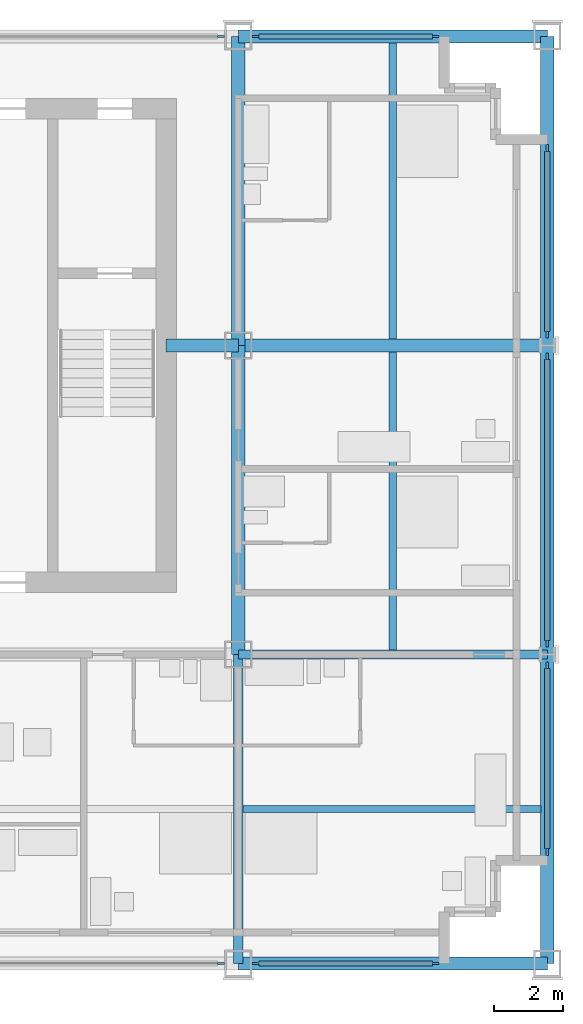
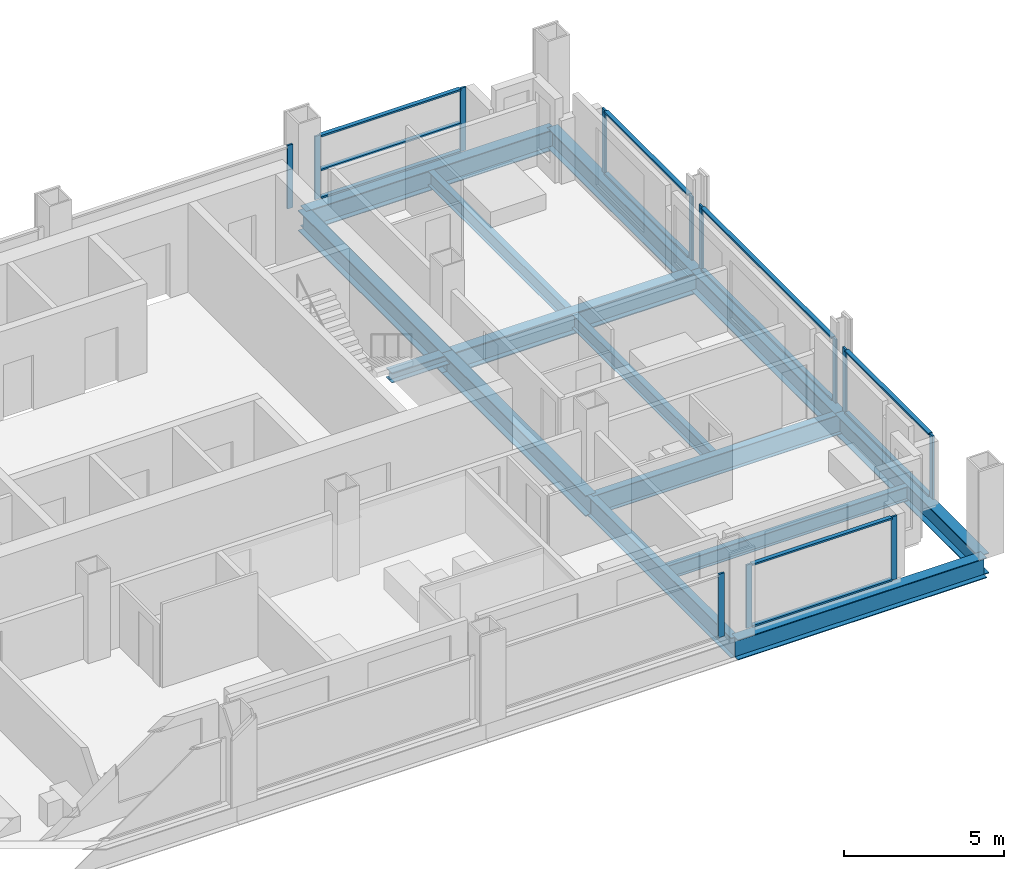
# One storey, part 5 of 13: 24 members, 13 beams, 7 elements without a shape of their own.
"""IFC4 building model written with IfcOpenShell, lengths in metres."""

from ifc_helpers import new_model, si_unit, direction, frame, origin, origin_2d, place, context, subcontext, project, spatial, rectangle, i_section, extrude, material, material_profile, profile_set, type_object, element, aggregate, save


model = new_model("IFC4")

# Units and contexts
model_context = context("Model", 3, precision=1e-05, world=origin(), true_north=direction((0.0, 1.0)))
body_context = subcontext(model_context, "Body", "Model", "MODEL_VIEW")
ifc_project = project(units=[si_unit("LENGTHUNIT", "METRE"), si_unit("AREAUNIT", "SQUARE_METRE"), si_unit("VOLUMEUNIT", "CUBIC_METRE"), si_unit("PLANEANGLEUNIT", "RADIAN"), si_unit("MASSUNIT", "GRAM", prefix="KILO")], contexts=[model_context])

# Site, building, storey
site_placement = place(None, origin())
site = spatial("IfcSite", under=ifc_project, at=site_placement, CompositionType="ELEMENT")
building_placement = place(site_placement, origin())
building = spatial("IfcBuilding", under=site, at=building_placement, Name="Loomwork Tower", CompositionType="ELEMENT")
storey_placement = place(building_placement, frame((0.0, 0.0, 208.0)))
storey = spatial("IfcBuildingStorey", under=building, at=storey_placement, Name="L57", CompositionType="ELEMENT", Elevation=208.0)

# Beams
ifc_material_1 = material(Name="Steel ASTM A992", Category="steel")
ifc_material_profile_1 = material_profile(ifc_material_1, i_section(OverallWidth=0.383544921875, OverallDepth=0.794921875, WebThickness=0.02099609375, FlangeThickness=0.0380859375, at=origin_2d()), Name="W30x235")
ifc_profile_set_1 = profile_set([ifc_material_profile_1], Name="Steel ASTM A992")
beam_type_1 = type_object("IfcBeamType", Name="CORE FLANK GIRDER W30x235", PredefinedType="BEAM", material=ifc_profile_set_1)
for number, where, z_axis, x_axis, name in (
    (1, (36.0, 18.0, -0.597412109375), (1.0, 0.0, 0.0), (0.0, 1.0, 0.0), "Core Flank Girder F/6-F/7 L57"),
    (2, (36.0, 9.0, -0.597412109375), (0.0, 1.0, 0.0), (-1.0, 0.0, 0.0), "Core Flank Girder E/6-F/6 L57"),
    (3, (36.0, 18.0, -0.597412109375), (0.0, 1.0, 0.0), (-1.0, 0.0, 0.0), "Core Flank Girder F/6-G/6 L57"),
):
    element("IfcBeam", number, at=place(storey_placement, frame(where, z_axis=z_axis, x_axis=x_axis)), inside=storey, type_object=beam_type_1, Name=name, PredefinedType="BEAM", context=body_context, shape_type="SweptSolid", body=[
        extrude(i_section(OverallWidth=0.383544921875, OverallDepth=0.794921875, WebThickness=0.02099609375, FlangeThickness=0.0380859375, at=origin_2d()), origin(), (0.0, 0.0, 1.0), 9.0),
    ])

# Member
ifc_material_2 = material(Name="Steel ASTM A992", Category="steel")
ifc_material_profile_2 = material_profile(ifc_material_2, i_section(OverallWidth=0.373291015625, OverallDepth=0.373291015625, WebThickness=0.016357421875, FlangeThickness=0.026123046875, at=origin_2d()), Name="W14x132")
ifc_profile_set_2 = profile_set([ifc_material_profile_2], Name="Steel ASTM A992")
member_type_1 = type_object("IfcMemberType", Name="CORE LINK STRUT W14x132", PredefinedType="STRUT", material=ifc_profile_set_2)
member_1_placement = place(storey_placement, frame((36.0, 18.0, -0.38671875), z_axis=(-1.0, 0.0, 0.0), x_axis=(0.0, -1.0, 0.0)))
element("IfcMember", 4, at=member_1_placement, inside=storey, type_object=member_type_1, Name="Core link strut F/6-33.900,18.000 L57", PredefinedType="STRUT", context=body_context, shape_type="SweptSolid", body=[
    extrude(i_section(OverallWidth=0.373291015625, OverallDepth=0.373291015625, WebThickness=0.016357421875, FlangeThickness=0.026123046875, at=origin_2d()), origin(), (0.0, 0.0, 1.0), 2.10009765625),
])

# Beams
ifc_material_3 = material(Name="Steel ASTM A992", Category="steel")
ifc_material_profile_3 = material_profile(ifc_material_3, i_section(OverallWidth=0.2666015625, OverallDepth=0.761962890625, WebThickness=0.014404296875, FlangeThickness=0.021484375, at=origin_2d()), Name="W30x116")
ifc_profile_set_3 = profile_set([ifc_material_profile_3], Name="Steel ASTM A992")
beam_type_2 = type_object("IfcBeamType", Name="FLOOR GIRDER W30x116", PredefinedType="BEAM", material=ifc_profile_set_3)
for number, where, z_axis, x_axis, name in (
    (5, (36.0, 9.0, -0.5810546875), (1.0, 0.0, 0.0), (0.0, 1.0, 0.0), "Floor Girder E/6-E/7 L57"),
    (6, (36.0, 0.0, -0.5810546875), (0.0, 1.0, 0.0), (-1.0, 0.0, 0.0), "Floor Girder D/6-E/6 L57"),
):
    element("IfcBeam", number, at=place(storey_placement, frame(where, z_axis=z_axis, x_axis=x_axis)), inside=storey, type_object=beam_type_2, Name=name, PredefinedType="BEAM", context=body_context, shape_type="SweptSolid", body=[
        extrude(i_section(OverallWidth=0.2666015625, OverallDepth=0.761962890625, WebThickness=0.014404296875, FlangeThickness=0.021484375, at=origin_2d()), origin(), (0.0, 0.0, 1.0), 9.0),
    ])
ifc_material_4 = material(Name="Steel ASTM A992", Category="steel")
ifc_material_profile_4 = material_profile(ifc_material_4, i_section(OverallWidth=0.2109375, OverallDepth=0.53857421875, WebThickness=0.011474609375, FlangeThickness=0.018798828125, at=origin_2d()), Name="W21x73")
ifc_profile_set_4 = profile_set([ifc_material_profile_4], Name="Steel ASTM A992")
beam_type_3 = type_object("IfcBeamType", Name="FLOOR JOIST W21x73", PredefinedType="JOIST", material=ifc_profile_set_4)
beam_1_placement = place(storey_placement, frame((36.133056640625, 4.5, -0.46923828125), z_axis=(1.0, 0.0, 0.0), x_axis=(0.0, 1.0, 0.0)))
element("IfcBeam", 7, at=beam_1_placement, inside=storey, type_object=beam_type_3, Name="Floor Joist 36.000,4.500-45.000,4.500 L57", PredefinedType="JOIST", context=body_context, shape_type="SweptSolid", body=[
    extrude(i_section(OverallWidth=0.2109375, OverallDepth=0.53857421875, WebThickness=0.011474609375, FlangeThickness=0.018798828125, at=origin_2d()), origin(), (0.0, 0.0, 1.0), 8.677001953125),
])
beam_2_placement = place(storey_placement, frame((40.5, 9.133056640625, -0.46923828125), z_axis=(0.0, 1.0, 0.0), x_axis=(-1.0, 0.0, 0.0)))
element("IfcBeam", 8, at=beam_2_placement, inside=storey, type_object=beam_type_3, Name="Floor Joist 40.500,9.000-40.500,18.000 L57", PredefinedType="JOIST", context=body_context, shape_type="SweptSolid", body=[
    extrude(i_section(OverallWidth=0.2109375, OverallDepth=0.53857421875, WebThickness=0.011474609375, FlangeThickness=0.018798828125, at=origin_2d()), origin(), (0.0, 0.0, 1.0), 8.676025390625),
])
beam_3_placement = place(storey_placement, frame((40.5, 18.19091796875, -0.46923828125), z_axis=(0.0, 1.0, 0.0), x_axis=(-1.0, 0.0, 0.0)))
element("IfcBeam", 9, at=beam_3_placement, inside=storey, type_object=beam_type_3, Name="Floor Joist 40.500,18.000-40.500,27.000 L57", PredefinedType="JOIST", context=body_context, shape_type="SweptSolid", body=[
    extrude(i_section(OverallWidth=0.2109375, OverallDepth=0.53857421875, WebThickness=0.011474609375, FlangeThickness=0.018798828125, at=origin_2d()), origin(), (0.0, 0.0, 1.0), 8.619140625),
])

# Curtain wall, member
ifc_material_5 = material(Name="Aluminium curtain wall frame", Category="aluminium")
curtain_wall_type_1 = type_object("IfcCurtainWallType", Name="Outer skin glazing hotel", PredefinedType="NOTDEFINED", material=ifc_material_5)
curtain_wall_1_placement = place(storey_placement, origin())
curtain_wall_1 = element("IfcCurtainWall", 10, at=curtain_wall_1_placement, inside=storey, type_object=curtain_wall_type_1, Name="Outer skin glazing hotel cw/S-27", PredefinedType="NOTDEFINED")
ifc_material_6 = material(Name="Aluminium curtain wall frame", Category="aluminium")
ifc_material_profile_5 = material_profile(ifc_material_6, rectangle(XDim=0.06494140625, YDim=0.199951171875, at=origin_2d()), Name="AL 65x200")
ifc_profile_set_5 = profile_set([ifc_material_profile_5], Name="Aluminium curtain wall frame")
member_type_2 = type_object("IfcMemberType", Name="Outer skin glazing hotel mullion", PredefinedType="MULLION", material=ifc_profile_set_5)
member_2_placement = place(storey_placement, frame((35.5, 0.0, 0.0), z_axis=(0.0, 0.0, 1.0), x_axis=(0.0, 1.0, 0.0)))
member_2 = element("IfcMember", 11, at=member_2_placement, type_object=member_type_2, Name="CW1 mullion 2", PredefinedType="MULLION", context=body_context, shape_type="SweptSolid", body=[
    extrude(rectangle(XDim=0.06494140625, YDim=0.199951171875, at=origin_2d()), origin(), (0.0, 0.0, 1.0), 2.420166015625),
])
aggregate(curtain_wall_1, [member_2])

# Curtain wall, members
curtain_wall_2_placement = place(storey_placement, origin())
curtain_wall_2 = element("IfcCurtainWall", 12, at=curtain_wall_2_placement, inside=storey, type_object=curtain_wall_type_1, Name="Outer skin glazing hotel cw/S-36", PredefinedType="NOTDEFINED")
member_3_placement = place(storey_placement, frame((36.5, 0.0, 0.0), z_axis=(0.0, 0.0, 1.0), x_axis=(0.0, 1.0, 0.0)))
member_3 = element("IfcMember", 13, at=member_3_placement, type_object=member_type_2, Name="CW1 mullion 1", PredefinedType="MULLION", context=body_context, shape_type="SweptSolid", body=[
    extrude(rectangle(XDim=0.06494140625, YDim=0.199951171875, at=origin_2d()), origin(), (0.0, 0.0, 1.0), 2.420166015625),
])
member_4_placement = place(storey_placement, frame((41.75, 0.0, 0.0), z_axis=(0.0, 0.0, 1.0), x_axis=(0.0, 1.0, 0.0)))
member_4 = element("IfcMember", 14, at=member_4_placement, type_object=member_type_2, Name="CW1 mullion 2", PredefinedType="MULLION", context=body_context, shape_type="SweptSolid", body=[
    extrude(rectangle(XDim=0.06494140625, YDim=0.199951171875, at=origin_2d()), origin(), (0.0, 0.0, 1.0), 2.420166015625),
])

curtain_wall_3_placement = place(storey_placement, origin())
curtain_wall_3 = element("IfcCurtainWall", 15, at=curtain_wall_3_placement, inside=storey, type_object=curtain_wall_type_1, Name="Outer skin glazing hotel cw/E-0", PredefinedType="NOTDEFINED")
member_5_placement = place(storey_placement, frame((45.0, 3.25, 0.0), z_axis=(0.0, 0.0, 1.0), x_axis=(-1.0, 0.0, 0.0)))
member_5 = element("IfcMember", 16, at=member_5_placement, type_object=member_type_2, Name="CW1 mullion 1", PredefinedType="MULLION", context=body_context, shape_type="SweptSolid", body=[
    extrude(rectangle(XDim=0.06494140625, YDim=0.199951171875, at=origin_2d()), origin(), (0.0, 0.0, 1.0), 2.420166015625),
])
member_6_placement = place(storey_placement, frame((45.0, 8.6865234375, 0.0), z_axis=(0.0, 0.0, 1.0), x_axis=(-1.0, 0.0, 0.0)))
member_6 = element("IfcMember", 17, at=member_6_placement, type_object=member_type_2, Name="CW1 mullion 2", PredefinedType="MULLION", context=body_context, shape_type="SweptSolid", body=[
    extrude(rectangle(XDim=0.06494140625, YDim=0.199951171875, at=origin_2d()), origin(), (0.0, 0.0, 1.0), 2.420166015625),
])

curtain_wall_4_placement = place(storey_placement, origin())
curtain_wall_4 = element("IfcCurtainWall", 18, at=curtain_wall_4_placement, inside=storey, type_object=curtain_wall_type_1, Name="Outer skin glazing hotel cw/E-9", PredefinedType="NOTDEFINED")
member_7_placement = place(storey_placement, frame((45.0, 9.3134765625, 0.0), z_axis=(0.0, 0.0, 1.0), x_axis=(-1.0, 0.0, 0.0)))
member_7 = element("IfcMember", 19, at=member_7_placement, type_object=member_type_2, Name="CW1 mullion 1", PredefinedType="MULLION", context=body_context, shape_type="SweptSolid", body=[
    extrude(rectangle(XDim=0.06494140625, YDim=0.199951171875, at=origin_2d()), origin(), (0.0, 0.0, 1.0), 2.420166015625),
])
member_8_placement = place(storey_placement, frame((45.0, 17.6865234375, 0.0), z_axis=(0.0, 0.0, 1.0), x_axis=(-1.0, 0.0, 0.0)))
member_8 = element("IfcMember", 20, at=member_8_placement, type_object=member_type_2, Name="CW1 mullion 2", PredefinedType="MULLION", context=body_context, shape_type="SweptSolid", body=[
    extrude(rectangle(XDim=0.06494140625, YDim=0.199951171875, at=origin_2d()), origin(), (0.0, 0.0, 1.0), 2.420166015625),
])

curtain_wall_5_placement = place(storey_placement, origin())
curtain_wall_5 = element("IfcCurtainWall", 21, at=curtain_wall_5_placement, inside=storey, type_object=curtain_wall_type_1, Name="Outer skin glazing hotel cw/E-18", PredefinedType="NOTDEFINED")
member_9_placement = place(storey_placement, frame((45.0, 18.3134765625, 0.0), z_axis=(0.0, 0.0, 1.0), x_axis=(-1.0, 0.0, 0.0)))
member_9 = element("IfcMember", 22, at=member_9_placement, type_object=member_type_2, Name="CW1 mullion 1", PredefinedType="MULLION", context=body_context, shape_type="SweptSolid", body=[
    extrude(rectangle(XDim=0.06494140625, YDim=0.199951171875, at=origin_2d()), origin(), (0.0, 0.0, 1.0), 2.420166015625),
])
member_10_placement = place(storey_placement, frame((45.0, 23.75, 0.0), z_axis=(0.0, 0.0, 1.0), x_axis=(-1.0, 0.0, 0.0)))
member_10 = element("IfcMember", 23, at=member_10_placement, type_object=member_type_2, Name="CW1 mullion 2", PredefinedType="MULLION", context=body_context, shape_type="SweptSolid", body=[
    extrude(rectangle(XDim=0.06494140625, YDim=0.199951171875, at=origin_2d()), origin(), (0.0, 0.0, 1.0), 2.420166015625),
])

# Member
ifc_material_7 = material(Name="Aluminium curtain wall frame", Category="aluminium")
ifc_material_profile_6 = material_profile(ifc_material_7, rectangle(XDim=0.14990234375, YDim=0.06494140625, at=origin_2d()), Name="AL 65x150")
ifc_profile_set_6 = profile_set([ifc_material_profile_6], Name="Aluminium curtain wall frame")
member_type_3 = type_object("IfcMemberType", Name="Outer skin glazing hotel transom", PredefinedType="USERDEFINED", material=ifc_profile_set_6)
member_11_placement = place(storey_placement, frame((36.60009765625, 0.0, 0.032470703125), z_axis=(1.0, 0.0, 0.0), x_axis=(0.0, 1.0, 0.0)))
member_11 = element("IfcMember", 24, at=member_11_placement, type_object=member_type_3, Name="CW1 transom 1.1", ObjectType="TRANSOM", PredefinedType="USERDEFINED", context=body_context, shape_type="SweptSolid", body=[
    extrude(rectangle(XDim=0.14990234375, YDim=0.06494140625, at=origin_2d()), origin(), (0.0, 0.0, 1.0), 5.0498046875),
])

member_12_placement = place(storey_placement, frame((36.60009765625, 0.0, 2.3876953125), z_axis=(1.0, 0.0, 0.0), x_axis=(0.0, 1.0, 0.0)))
member_12 = element("IfcMember", 25, at=member_12_placement, type_object=member_type_3, Name="CW1 transom 1.2", ObjectType="TRANSOM", PredefinedType="USERDEFINED", context=body_context, shape_type="SweptSolid", body=[
    extrude(rectangle(XDim=0.14990234375, YDim=0.06494140625, at=origin_2d()), origin(), (0.0, 0.0, 1.0), 5.0498046875),
])

aggregate(curtain_wall_2, [member_3, member_4, member_11, member_12])

member_13_placement = place(storey_placement, frame((45.0, 3.35009765625, 0.032470703125), z_axis=(0.0, 1.0, 0.0), x_axis=(-1.0, 0.0, 0.0)))
member_13 = element("IfcMember", 26, at=member_13_placement, type_object=member_type_3, Name="CW1 transom 1.1", ObjectType="TRANSOM", PredefinedType="USERDEFINED", context=body_context, shape_type="SweptSolid", body=[
    extrude(rectangle(XDim=0.14990234375, YDim=0.06494140625, at=origin_2d()), origin(), (0.0, 0.0, 1.0), 5.236572265625),
])

member_14_placement = place(storey_placement, frame((45.0, 3.35009765625, 2.3876953125), z_axis=(0.0, 1.0, 0.0), x_axis=(-1.0, 0.0, 0.0)))
member_14 = element("IfcMember", 27, at=member_14_placement, type_object=member_type_3, Name="CW1 transom 1.2", ObjectType="TRANSOM", PredefinedType="USERDEFINED", context=body_context, shape_type="SweptSolid", body=[
    extrude(rectangle(XDim=0.14990234375, YDim=0.06494140625, at=origin_2d()), origin(), (0.0, 0.0, 1.0), 5.236572265625),
])

aggregate(curtain_wall_3, [member_5, member_6, member_13, member_14])

member_15_placement = place(storey_placement, frame((45.0, 9.413330078125, 0.032470703125), z_axis=(0.0, 1.0, 0.0), x_axis=(-1.0, 0.0, 0.0)))
member_15 = element("IfcMember", 28, at=member_15_placement, type_object=member_type_3, Name="CW1 transom 1.1", ObjectType="TRANSOM", PredefinedType="USERDEFINED", context=body_context, shape_type="SweptSolid", body=[
    extrude(rectangle(XDim=0.14990234375, YDim=0.06494140625, at=origin_2d()), origin(), (0.0, 0.0, 1.0), 8.17333984375),
])

member_16_placement = place(storey_placement, frame((45.0, 9.413330078125, 2.3876953125), z_axis=(0.0, 1.0, 0.0), x_axis=(-1.0, 0.0, 0.0)))
member_16 = element("IfcMember", 29, at=member_16_placement, type_object=member_type_3, Name="CW1 transom 1.2", ObjectType="TRANSOM", PredefinedType="USERDEFINED", context=body_context, shape_type="SweptSolid", body=[
    extrude(rectangle(XDim=0.14990234375, YDim=0.06494140625, at=origin_2d()), origin(), (0.0, 0.0, 1.0), 8.17333984375),
])

aggregate(curtain_wall_4, [member_7, member_8, member_15, member_16])

member_17_placement = place(storey_placement, frame((45.0, 18.413330078125, 0.032470703125), z_axis=(0.0, 1.0, 0.0), x_axis=(-1.0, 0.0, 0.0)))
member_17 = element("IfcMember", 30, at=member_17_placement, type_object=member_type_3, Name="CW1 transom 1.1", ObjectType="TRANSOM", PredefinedType="USERDEFINED", context=body_context, shape_type="SweptSolid", body=[
    extrude(rectangle(XDim=0.14990234375, YDim=0.06494140625, at=origin_2d()), origin(), (0.0, 0.0, 1.0), 5.236572265625),
])

member_18_placement = place(storey_placement, frame((45.0, 18.413330078125, 2.3876953125), z_axis=(0.0, 1.0, 0.0), x_axis=(-1.0, 0.0, 0.0)))
member_18 = element("IfcMember", 31, at=member_18_placement, type_object=member_type_3, Name="CW1 transom 1.2", ObjectType="TRANSOM", PredefinedType="USERDEFINED", context=body_context, shape_type="SweptSolid", body=[
    extrude(rectangle(XDim=0.14990234375, YDim=0.06494140625, at=origin_2d()), origin(), (0.0, 0.0, 1.0), 5.236572265625),
])

aggregate(curtain_wall_5, [member_9, member_10, member_17, member_18])

# Beams
ifc_material_8 = material(Name="Steel ASTM A992", Category="steel")
ifc_material_profile_7 = material_profile(ifc_material_8, i_section(OverallWidth=0.381103515625, OverallDepth=0.77978515625, WebThickness=0.01806640625, FlangeThickness=0.0302734375, at=origin_2d()), Name="W30x191")
ifc_profile_set_7 = profile_set([ifc_material_profile_7], Name="Steel ASTM A992")
beam_type_4 = type_object("IfcBeamType", Name="SPANDREL GIRDER W30x191", PredefinedType="SPANDREL", material=ifc_profile_set_7)
for number, where, z_axis, x_axis, name in (
    (32, (36.0, 0.0, -0.58984375), (1.0, 0.0, 0.0), (0.0, 1.0, 0.0), "Spandrel Girder D/6-D/7 L57"),
    (33, (36.0, 27.0, -0.58984375), (1.0, 0.0, 0.0), (0.0, 1.0, 0.0), "Spandrel Girder G/6-G/7 L57"),
    (34, (45.0, 0.0, -0.58984375), (0.0, 1.0, 0.0), (-1.0, 0.0, 0.0), "Spandrel Girder D/7-E/7 L57"),
    (35, (45.0, 9.0, -0.58984375), (0.0, 1.0, 0.0), (-1.0, 0.0, 0.0), "Spandrel Girder E/7-F/7 L57"),
    (36, (45.0, 18.0, -0.58984375), (0.0, 1.0, 0.0), (-1.0, 0.0, 0.0), "Spandrel Girder F/7-G/7 L57"),
):
    element("IfcBeam", number, at=place(storey_placement, frame(where, z_axis=z_axis, x_axis=x_axis)), inside=storey, type_object=beam_type_4, Name=name, PredefinedType="SPANDREL", context=body_context, shape_type="SweptSolid", body=[
        extrude(i_section(OverallWidth=0.381103515625, OverallDepth=0.77978515625, WebThickness=0.01806640625, FlangeThickness=0.0302734375, at=origin_2d()), origin(), (0.0, 0.0, 1.0), 9.0),
    ])

# Curtain wall, member
ifc_material_9 = material(Name="Aluminium curtain wall frame", Category="aluminium")
curtain_wall_type_2 = type_object("IfcCurtainWallType", Name="Single skin glazing corridor", PredefinedType="NOTDEFINED", material=ifc_material_9)
curtain_wall_6_placement = place(storey_placement, origin())
curtain_wall_6 = element("IfcCurtainWall", 37, at=curtain_wall_6_placement, inside=storey, type_object=curtain_wall_type_2, Name="Single skin glazing corridor cw/N-27", PredefinedType="NOTDEFINED")
ifc_material_10 = material(Name="Aluminium curtain wall frame", Category="aluminium")
ifc_material_profile_8 = material_profile(ifc_material_10, rectangle(XDim=0.06494140625, YDim=0.199951171875, at=origin_2d()), Name="AL 65x200")
ifc_profile_set_8 = profile_set([ifc_material_profile_8], Name="Aluminium curtain wall frame")
member_type_4 = type_object("IfcMemberType", Name="Single skin glazing corridor mullion", PredefinedType="MULLION", material=ifc_profile_set_8)
member_19_placement = place(storey_placement, frame((35.5, 27.0, 0.0), z_axis=(0.0, 0.0, 1.0), x_axis=(0.0, -1.0, 0.0)))
member_19 = element("IfcMember", 38, at=member_19_placement, type_object=member_type_4, Name="CW3 mullion 1", PredefinedType="MULLION", context=body_context, shape_type="SweptSolid", body=[
    extrude(rectangle(XDim=0.06494140625, YDim=0.199951171875, at=origin_2d()), origin(), (0.0, 0.0, 1.0), 2.420166015625),
])
aggregate(curtain_wall_6, [member_19])

# Curtain wall, members
curtain_wall_7_placement = place(storey_placement, origin())
curtain_wall_7 = element("IfcCurtainWall", 39, at=curtain_wall_7_placement, inside=storey, type_object=curtain_wall_type_2, Name="Single skin glazing corridor cw/N-36", PredefinedType="NOTDEFINED")
member_20_placement = place(storey_placement, frame((41.75, 27.0, 0.0), z_axis=(0.0, 0.0, 1.0), x_axis=(0.0, -1.0, 0.0)))
member_20 = element("IfcMember", 40, at=member_20_placement, type_object=member_type_4, Name="CW3 mullion 1", PredefinedType="MULLION", context=body_context, shape_type="SweptSolid", body=[
    extrude(rectangle(XDim=0.06494140625, YDim=0.199951171875, at=origin_2d()), origin(), (0.0, 0.0, 1.0), 2.420166015625),
])
member_21_placement = place(storey_placement, frame((36.5, 27.0, 0.0), z_axis=(0.0, 0.0, 1.0), x_axis=(0.0, -1.0, 0.0)))
member_21 = element("IfcMember", 41, at=member_21_placement, type_object=member_type_4, Name="CW3 mullion 2", PredefinedType="MULLION", context=body_context, shape_type="SweptSolid", body=[
    extrude(rectangle(XDim=0.06494140625, YDim=0.199951171875, at=origin_2d()), origin(), (0.0, 0.0, 1.0), 2.420166015625),
])
ifc_material_11 = material(Name="Aluminium curtain wall frame", Category="aluminium")
ifc_material_profile_9 = material_profile(ifc_material_11, rectangle(XDim=0.14990234375, YDim=0.06494140625, at=origin_2d()), Name="AL 65x150")
ifc_profile_set_9 = profile_set([ifc_material_profile_9], Name="Aluminium curtain wall frame")
member_type_5 = type_object("IfcMemberType", Name="Single skin glazing corridor transom", PredefinedType="USERDEFINED", material=ifc_profile_set_9)
member_22_placement = place(storey_placement, frame((41.64990234375, 27.0, 0.032470703125), z_axis=(-1.0, 0.0, 0.0), x_axis=(0.0, -1.0, 0.0)))
member_22 = element("IfcMember", 42, at=member_22_placement, type_object=member_type_5, Name="CW3 transom 1.1", ObjectType="TRANSOM", PredefinedType="USERDEFINED", context=body_context, shape_type="SweptSolid", body=[
    extrude(rectangle(XDim=0.14990234375, YDim=0.06494140625, at=origin_2d()), origin(), (0.0, 0.0, 1.0), 5.0498046875),
])
member_23_placement = place(storey_placement, frame((41.64990234375, 27.0, 1.10009765625), z_axis=(-1.0, 0.0, 0.0), x_axis=(0.0, -1.0, 0.0)))
member_23 = element("IfcMember", 43, at=member_23_placement, type_object=member_type_5, Name="CW3 transom 1.2", ObjectType="TRANSOM", PredefinedType="USERDEFINED", context=body_context, shape_type="SweptSolid", body=[
    extrude(rectangle(XDim=0.14990234375, YDim=0.06494140625, at=origin_2d()), origin(), (0.0, 0.0, 1.0), 5.0498046875),
])
member_24_placement = place(storey_placement, frame((41.64990234375, 27.0, 2.3876953125), z_axis=(-1.0, 0.0, 0.0), x_axis=(0.0, -1.0, 0.0)))
member_24 = element("IfcMember", 44, at=member_24_placement, type_object=member_type_5, Name="CW3 transom 1.3", ObjectType="TRANSOM", PredefinedType="USERDEFINED", context=body_context, shape_type="SweptSolid", body=[
    extrude(rectangle(XDim=0.14990234375, YDim=0.06494140625, at=origin_2d()), origin(), (0.0, 0.0, 1.0), 5.0498046875),
])
aggregate(curtain_wall_7, [member_20, member_21, member_22, member_23, member_24])

save(model, "model.ifc")
